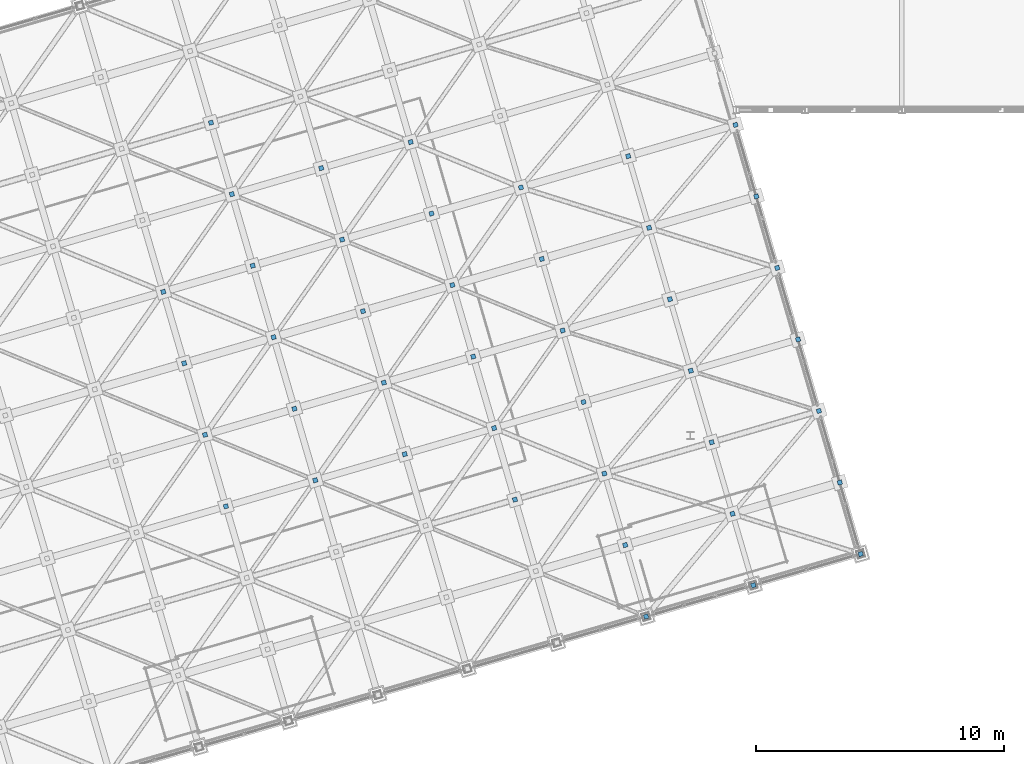
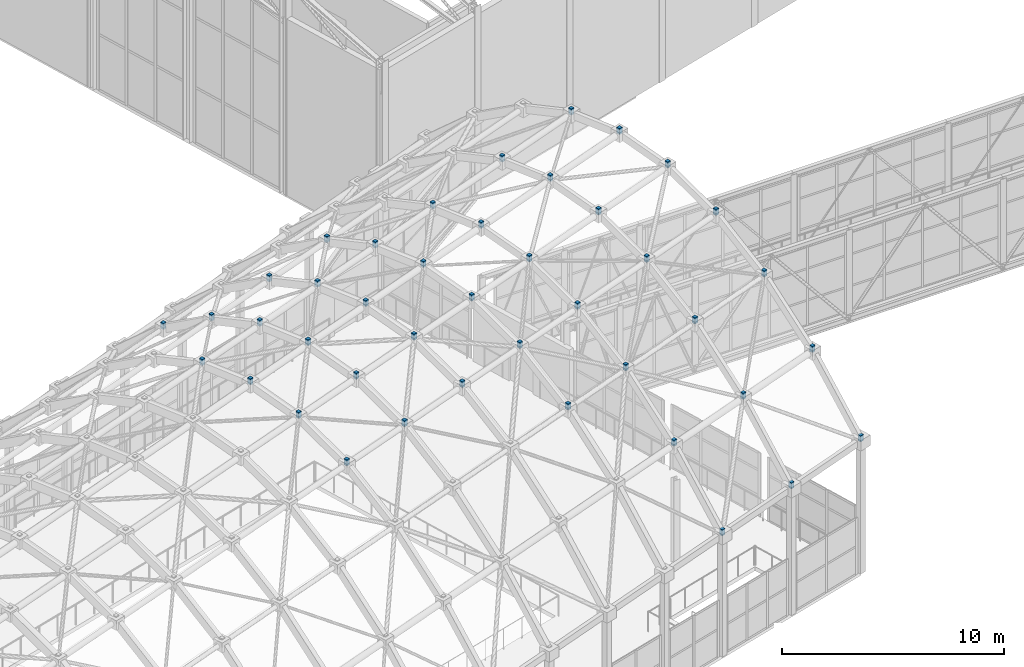
# One storey, part 233 of 248: 42 discrete accessories.
"""IFC4 building model written with IfcOpenShell, lengths in metres."""

from ifc_helpers import new_model, si_unit, direction, frame, origin, origin_2d, place, context, subcontext, project, spatial, rectangle, extrude, material, type_object, element, save


model = new_model("IFC4")

# Units and contexts
model_context = context("Model", 3, precision=1e-05, world=origin(), true_north=direction((0.0, 1.0)))
body_context = subcontext(model_context, "Body", "Model", "MODEL_VIEW")
ifc_project = project(units=[si_unit("LENGTHUNIT", "METRE"), si_unit("AREAUNIT", "SQUARE_METRE"), si_unit("VOLUMEUNIT", "CUBIC_METRE"), si_unit("PLANEANGLEUNIT", "RADIAN"), si_unit("MASSUNIT", "GRAM", prefix="KILO")], contexts=[model_context])

# Site, building, storey
site_placement = place(None, origin())
site = spatial("IfcSite", under=ifc_project, at=site_placement, CompositionType="ELEMENT")
building_placement = place(site_placement, origin())
building = spatial("IfcBuilding", under=site, at=building_placement, Name="Canggui Botanical Conservatory", CompositionType="ELEMENT")
storey_placement = place(building_placement, frame((0.0, 0.0, 5.39990234375)))
storey = spatial("IfcBuildingStorey", under=building, at=storey_placement, Name="L02", CompositionType="ELEMENT", Elevation=5.39990234375)

# Discrete accessories
ifc_material = material(Name="Stainless Steel 316", Category="steel")
discrete_accessory_type = type_object("IfcDiscreteAccessoryType", Name="ACC-BRK01", PredefinedType="BRACKET", material=ifc_material)
for number, where, z_axis, x_axis, name in (
    (1, (46.280029296875, 59.0400390625, 13.654296875), (0.0, 0.0, 1.0), (0.960000000041, 0.279999999861, 0.0), "Gridshell Glazing Spider Bracket GS-N092"),
    (2, (45.43994140625, 61.919921875, 14.80615234375), (0.0, 0.0, 1.0), (0.960000000041, 0.279999999861, 0.0), "Gridshell Glazing Spider Bracket GS-N093"),
    (3, (44.60009765625, 64.800048828125, 15.18994140625), (0.0, 0.0, 1.0), (0.960000000041, 0.279999999861, 0.0), "Gridshell Glazing Spider Bracket GS-N094"),
    (4, (43.760009765625, 67.679931640625, 14.80615234375), (0.0, 0.0, 1.0), (0.960000000041, 0.279999999861, 0.0), "Gridshell Glazing Spider Bracket GS-N095"),
    (5, (49.8798828125, 60.090087890625, 13.904296875), (0.0, 0.0, 1.0), (0.960000000041, 0.279999999861, 0.0), "Gridshell Glazing Spider Bracket GS-N103"),
    (6, (49.0400390625, 62.969970703125, 15.05615234375), (0.0, 0.0, 1.0), (0.960000000041, 0.279999999861, 0.0), "Gridshell Glazing Spider Bracket GS-N104"),
    (7, (48.199951171875, 65.85009765625, 15.43994140625), (0.0, 0.0, 1.0), (0.960000000041, 0.279999999861, 0.0), "Gridshell Glazing Spider Bracket GS-N105"),
    (8, (47.360107421875, 68.72998046875, 15.05615234375), (0.0, 0.0, 1.0), (0.960000000041, 0.279999999861, 0.0), "Gridshell Glazing Spider Bracket GS-N106"),
    (9, (46.52001953125, 71.610107421875, 13.904296875), (0.0, 0.0, 1.0), (0.960000000041, 0.279999999861, 0.0), "Gridshell Glazing Spider Bracket GS-N107"),
    (10, (45.679931640625, 74.489990234375, 11.98388671875), (0.0, 0.0, 1.0), (0.960000000041, 0.279999999861, 0.0), "Gridshell Glazing Spider Bracket GS-N108"),
    (11, (53.47998046875, 61.139892578125, 14.154296875), (0.0, 0.0, 1.0), (0.960000000041, 0.279999999861, 0.0), "Gridshell Glazing Spider Bracket GS-N114"),
    (12, (52.639892578125, 64.02001953125, 15.30615234375), (0.0, 0.0, 1.0), (0.960000000041, 0.279999999861, 0.0), "Gridshell Glazing Spider Bracket GS-N115"),
    (13, (51.800048828125, 66.89990234375, 15.68994140625), (0.0, 0.0, 1.0), (0.960000000041, 0.279999999861, 0.0), "Gridshell Glazing Spider Bracket GS-N116"),
    (14, (50.9599609375, 69.780029296875, 15.30615234375), (0.0, 0.0, 1.0), (0.960000000041, 0.279999999861, 0.0), "Gridshell Glazing Spider Bracket GS-N117"),
    (15, (50.1201171875, 72.659912109375, 14.154296875), (0.0, 0.0, 1.0), (0.960000000041, 0.279999999861, 0.0), "Gridshell Glazing Spider Bracket GS-N118"),
    (16, (57.919921875, 59.31005859375, 12.48388671875), (0.0, 0.0, 1.0), (0.960000000041, 0.279999999861, 0.0), "Gridshell Glazing Spider Bracket GS-N124"),
    (17, (57.080078125, 62.18994140625, 14.404296875), (0.0, 0.0, 1.0), (0.960000000041, 0.279999999861, 0.0), "Gridshell Glazing Spider Bracket GS-N125"),
    (18, (56.239990234375, 65.070068359375, 15.55615234375), (0.0, 0.0, 1.0), (0.960000000041, 0.279999999861, 0.0), "Gridshell Glazing Spider Bracket GS-N126"),
    (19, (55.39990234375, 67.949951171875, 15.93994140625), (0.0, 0.0, 1.0), (0.960000000041, 0.279999999861, 0.0), "Gridshell Glazing Spider Bracket GS-N127"),
    (20, (54.56005859375, 70.830078125, 15.55615234375), (0.0, 0.0, 1.0), (0.960000000041, 0.279999999861, 0.0), "Gridshell Glazing Spider Bracket GS-N128"),
    (21, (53.719970703125, 73.7099609375, 14.404296875), (0.0, 0.0, 1.0), (0.960000000041, 0.279999999861, 0.0), "Gridshell Glazing Spider Bracket GS-N129"),
    (22, (63.199951171875, 54.60009765625, 6.58984375), (0.0, 0.0, 1.0), (0.960000000041, 0.279999999861, 0.0), "Gridshell Glazing Spider Bracket GS-N133"),
    (23, (62.360107421875, 57.47998046875, 10.0458984375), (0.0, 0.0, 1.0), (0.960000000041, 0.279999999861, 0.0), "Gridshell Glazing Spider Bracket GS-N134"),
    (24, (61.52001953125, 60.360107421875, 12.73388671875), (0.0, 0.0, 1.0), (0.960000000041, 0.279999999861, 0.0), "Gridshell Glazing Spider Bracket GS-N135"),
    (25, (60.679931640625, 63.239990234375, 14.654296875), (0.0, 0.0, 1.0), (0.960000000041, 0.279999999861, 0.0), "Gridshell Glazing Spider Bracket GS-N136"),
    (26, (59.840087890625, 66.1201171875, 15.80615234375), (0.0, 0.0, 1.0), (0.960000000041, 0.279999999861, 0.0), "Gridshell Glazing Spider Bracket GS-N137"),
    (27, (59.0, 69.0, 16.18994140625), (0.0, 0.0, 1.0), (0.960000000041, 0.279999999861, 0.0), "Gridshell Glazing Spider Bracket GS-N138"),
    (28, (58.159912109375, 71.8798828125, 15.80615234375), (0.0, 0.0, 1.0), (0.960000000041, 0.279999999861, 0.0), "Gridshell Glazing Spider Bracket GS-N139"),
    (29, (67.52001953125, 55.860107421875, 6.89013671875), (0.0, 0.0, 1.0), (0.960000000041, 0.279999999861, 0.0), "Gridshell Glazing Spider Bracket GS-N144"),
    (30, (66.679931640625, 58.739990234375, 10.34619140625), (0.0, 0.0, 1.0), (0.960000000041, 0.279999999861, 0.0), "Gridshell Glazing Spider Bracket GS-N145"),
    (31, (65.840087890625, 61.6201171875, 13.0341796875), (0.0, 0.0, 1.0), (0.960000000041, 0.279999999861, 0.0), "Gridshell Glazing Spider Bracket GS-N146"),
    (32, (65.0, 64.5, 14.9541015625), (0.0, 0.0, 1.0), (0.960000000041, 0.279999999861, 0.0), "Gridshell Glazing Spider Bracket GS-N147"),
    (33, (64.159912109375, 67.3798828125, 16.10595703125), (0.0, 0.0, 1.0), (0.960000000041, 0.279999999861, 0.0), "Gridshell Glazing Spider Bracket GS-N148"),
    (34, (63.320068359375, 70.260009765625, 16.490234375), (0.0, 0.0, 1.0), (0.960000000041, 0.279999999861, 0.0), "Gridshell Glazing Spider Bracket GS-N149"),
    (35, (62.47998046875, 73.139892578125, 16.10595703125), (0.0, 0.0, 1.0), (0.960000000041, 0.279999999861, 0.0), "Gridshell Glazing Spider Bracket GS-N150"),
    (36, (71.840087890625, 57.1201171875, 7.18994140625), (0.0, 0.0, 1.0), (0.960000000041, 0.279999999861, 0.0), "Gridshell Glazing Spider Bracket GS-N155"),
    (37, (71.0, 60.0, 10.64599609375), (0.0, 0.0, 1.0), (0.960000000041, 0.279999999861, 0.0), "Gridshell Glazing Spider Bracket GS-N156"),
    (38, (70.159912109375, 62.8798828125, 13.333984375), (0.0, 0.0, 1.0), (0.960000000041, 0.279999999861, 0.0), "Gridshell Glazing Spider Bracket GS-N157"),
    (39, (69.320068359375, 65.760009765625, 15.25390625), (0.0, 0.0, 1.0), (0.960000000041, 0.279999999861, 0.0), "Gridshell Glazing Spider Bracket GS-N158"),
    (40, (68.47998046875, 68.639892578125, 16.40625), (0.0, 0.0, 1.0), (0.960000000041, 0.279999999861, 0.0), "Gridshell Glazing Spider Bracket GS-N159"),
    (41, (67.639892578125, 71.52001953125, 16.7900390625), (0.0, 0.0, 1.0), (0.960000000041, 0.279999999861, 0.0), "Gridshell Glazing Spider Bracket GS-N160"),
    (42, (66.800048828125, 74.39990234375, 16.40625), (0.0, 0.0, 1.0), (0.960000000041, 0.279999999861, 0.0), "Gridshell Glazing Spider Bracket GS-N161"),
):
    element("IfcDiscreteAccessory", number, at=place(storey_placement, frame(where, z_axis=z_axis, x_axis=x_axis)), inside=storey, type_object=discrete_accessory_type, Name=name, PredefinedType="BRACKET", context=body_context, shape_type="SweptSolid", body=[
        extrude(rectangle(XDim=0.179931640625, YDim=0.179931640625, at=origin_2d()), origin(), (0.0, 0.0, 1.0), 0.340087890625),
    ])

save(model, "model.ifc")
